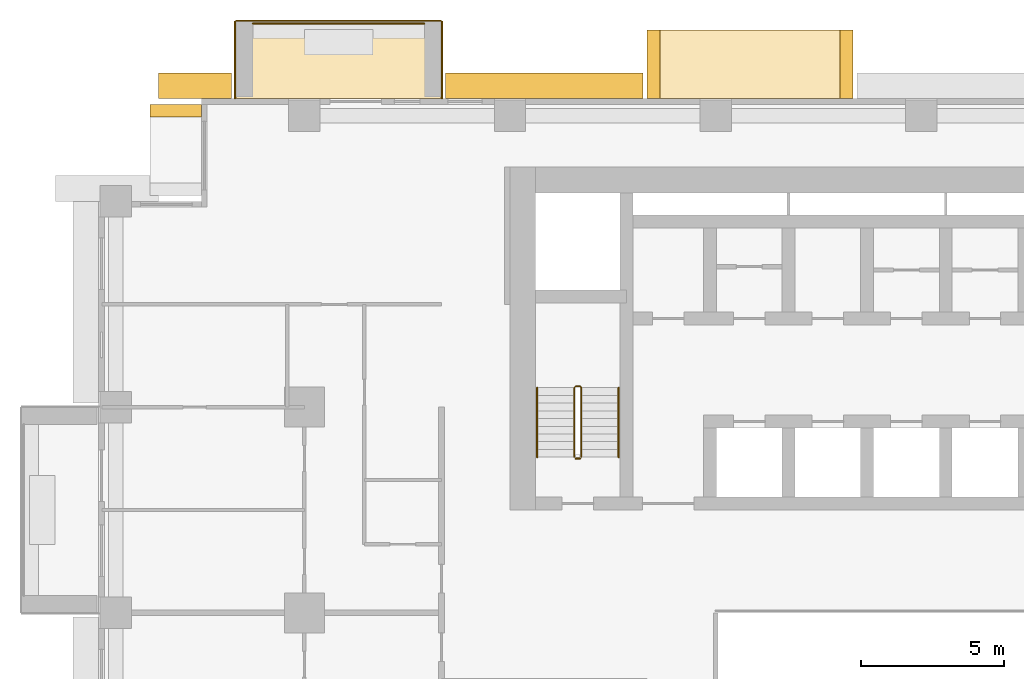
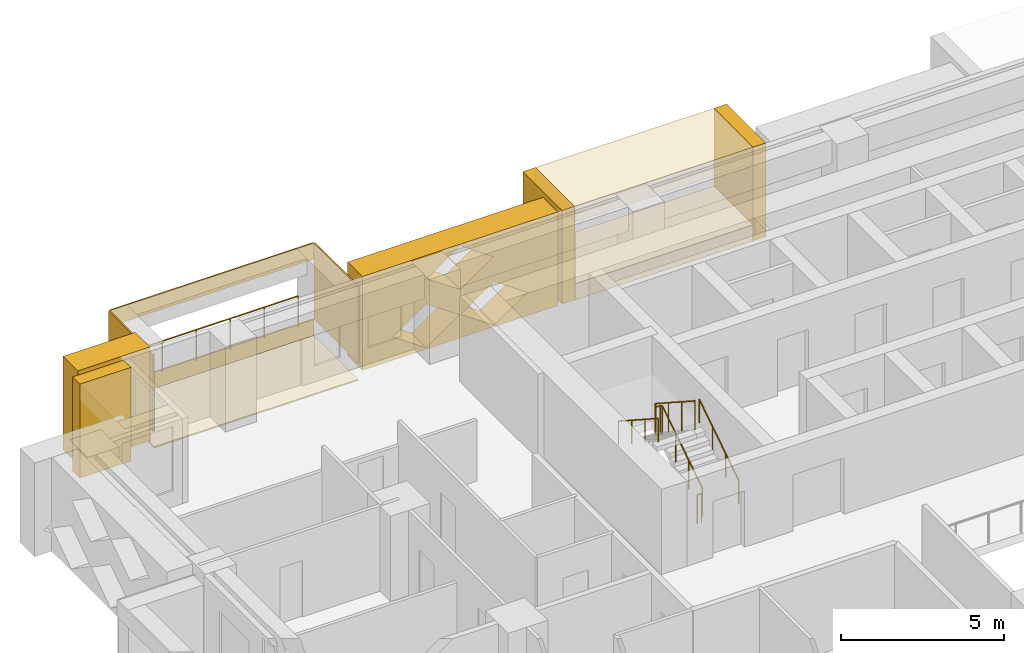
# One storey, part 15 of 17: 12 coverings, 5 railings.
"""IFC4 building model written with IfcOpenShell, lengths in metres."""

from ifc_helpers import new_model, si_unit, direction, frame, origin, origin_2d, place, context, subcontext, project, spatial, polyline, circle, outline, extrude, material, layer, layer_set, type_object, element, save


model = new_model("IFC4")

# Units and contexts
model_context = context("Model", 3, precision=1e-05, world=origin(), true_north=direction((0.0, 1.0)))
body_context = subcontext(model_context, "Body", "Model", "MODEL_VIEW")
ifc_project = project(units=[si_unit("LENGTHUNIT", "METRE"), si_unit("AREAUNIT", "SQUARE_METRE"), si_unit("VOLUMEUNIT", "CUBIC_METRE"), si_unit("PLANEANGLEUNIT", "RADIAN"), si_unit("MASSUNIT", "GRAM", prefix="KILO")], contexts=[model_context])

# Site, building, storey
site_placement = place(None, origin())
site = spatial("IfcSite", under=ifc_project, at=site_placement, CompositionType="ELEMENT")
building_placement = place(site_placement, origin())
building = spatial("IfcBuilding", under=site, at=building_placement, Name="Saffron Iwan Residences", CompositionType="ELEMENT")
storey_placement = place(building_placement, frame((0.0, 0.0, 37.5)))
storey = spatial("IfcBuildingStorey", under=building, at=storey_placement, Name="L08", CompositionType="ELEMENT", Elevation=37.5)

# Railing
ifc_material_1 = material(Name="Stainless steel 316", Category="steel")
railing_type_1 = type_object("IfcRailingType", Name="BALCONY GUARD 1150", PredefinedType="GUARDRAIL", material=ifc_material_1)
railing_1_placement = place(storey_placement, frame((25.800048828125, 83.02490234375, 0.0)))
element("IfcRailing", 1, at=railing_1_placement, inside=storey, type_object=railing_type_1, Name="Balcony guard L08 F5-3", PredefinedType="GUARDRAIL", context=body_context, shape_type="SweptSolid", body=[
    extrude(circle(Radius=0.02392578125, at=origin_2d()), frame((0.0, 0.0, 1.1259765625), z_axis=(-1.0, 0.0, 0.0), x_axis=(0.0, -1.0, 0.0)), (0.0, 0.0, 1.0), 6.0),
    extrude(circle(Radius=0.02099609375, at=origin_2d()), origin(), (0.0, 0.0, 1.0), 1.101806640625),
    extrude(circle(Radius=0.02099609375, at=origin_2d()), frame((-1.199951171875, 0.0, 0.0)), (0.0, 0.0, 1.0), 1.101806640625),
    extrude(circle(Radius=0.02099609375, at=origin_2d()), frame((-2.39990234375, 0.0, 0.0)), (0.0, 0.0, 1.0), 1.101806640625),
    extrude(circle(Radius=0.02099609375, at=origin_2d()), frame((-3.60009765625, 0.0, 0.0)), (0.0, 0.0, 1.0), 1.101806640625),
    extrude(circle(Radius=0.02099609375, at=origin_2d()), frame((-4.800048828125, 0.0, 0.0)), (0.0, 0.0, 1.0), 1.101806640625),
    extrude(circle(Radius=0.02099609375, at=origin_2d()), frame((-6.0, 0.0, 0.0)), (0.0, 0.0, 1.0), 1.101806640625),
])

# Coverings
ifc_material_2 = material(Name="Precast concrete C40/50 white painted", Category="concrete")
ifc_layer = layer(ifc_material_2, 0.050048828125)
ifc_layer_set = layer_set([ifc_layer], Name="Precast concrete C40/50 white painted")
covering_type_1 = type_object("IfcCoveringType", Name="FRAME SKIN PRECAST WHITE 50", PredefinedType="CLADDING", material=ifc_layer_set)
for number, where, name in (
    (2, (0.0, 0.0, -0.60009765625), "Frame skin slab edge L08 F5-3"),
    (3, (0.0, 0.0, 2.25), "Frame skin fascia L08 F5-3"),
):
    element("IfcCovering", number, at=place(storey_placement, frame(where)), inside=storey, type_object=covering_type_1, Name=name, PredefinedType="CLADDING", context=body_context, shape_type="SweptSolid", body=[
        extrude(outline(polyline([(26.39990234375, 83.14990234375), (19.199951171875, 83.14990234375), (19.199951171875, 83.10009765625), (26.39990234375, 83.10009765625), (26.39990234375, 83.14990234375)])), origin(), (0.0, 0.0, 1.0), 0.60009765625),
    ])
covering_1_placement = place(storey_placement, frame((0.0, 0.0, -0.64990234375)))
element("IfcCovering", 4, at=covering_1_placement, inside=storey, type_object=covering_type_1, Name="Frame skin soffit L08 F5-3", PredefinedType="CLADDING", context=body_context, shape_type="SweptSolid", body=[
    extrude(outline(polyline([(26.39990234375, 83.10009765625), (19.199951171875, 83.10009765625), (19.199951171875, 80.39990234375), (26.39990234375, 80.39990234375), (26.39990234375, 83.10009765625)])), origin(), (0.0, 0.0, 1.0), 0.0498046875),
])
covering_2_placement = place(storey_placement, origin())
element("IfcCovering", 5, at=covering_2_placement, inside=storey, type_object=covering_type_1, Name="Frame skin fin L08 F5-3a", PredefinedType="CLADDING", context=body_context, shape_type="SweptSolid", body=[
    extrude(outline(polyline([(26.449951171875, 83.10009765625), (26.39990234375, 83.10009765625), (26.39990234375, 80.39990234375), (26.449951171875, 80.39990234375), (26.449951171875, 83.10009765625)])), origin(), (0.0, 0.0, 1.0), 2.85009765625),
])
covering_3_placement = place(storey_placement, origin())
element("IfcCovering", 6, at=covering_3_placement, inside=storey, type_object=covering_type_1, Name="Frame skin fin L08 F5-3b", PredefinedType="CLADDING", context=body_context, shape_type="SweptSolid", body=[
    extrude(outline(polyline([(19.199951171875, 83.10009765625), (19.14990234375, 83.10009765625), (19.14990234375, 80.39990234375), (19.199951171875, 80.39990234375), (19.199951171875, 83.10009765625)])), origin(), (0.0, 0.0, 1.0), 2.85009765625),
])
ifc_material_3 = material(Name="Precast concrete C40/50", Category="concrete")
covering_type_2 = type_object("IfcCoveringType", Name="OUTER SKIN LATTICE SCREEN", PredefinedType="CLADDING", material=ifc_material_3)
covering_4_placement = place(storey_placement, frame((33.449951171875, 80.39990234375, -0.320068359375), z_axis=(0.0, 1.0, 0.0), x_axis=(-1.0, 0.0, 0.0)))
element("IfcCovering", 7, at=covering_4_placement, inside=storey, type_object=covering_type_2, Name="OUTER SKIN lattice screen L08 F5.3", PredefinedType="CLADDING", context=body_context, shape_type="SweptSolid", body=[
    extrude(outline(polyline([(0.0, 0.0), (6.89990234375, 0.0), (6.89990234375, 3.5), (0.0, 3.5), (0.0, 0.0)]), holes=[polyline([(1.070068359375, 0.875), (2.25, 0.06005859375), (3.429931640625, 0.875), (2.25, 1.68994140625), (1.070068359375, 0.875)]), polyline([(3.469970703125, 0.875), (4.64990234375, 0.06005859375), (5.830078125, 0.875), (4.64990234375, 1.68994140625), (3.469970703125, 0.875)]), polyline([(2.27001953125, 2.625), (3.449951171875, 1.81005859375), (4.6298828125, 2.625), (3.449951171875, 3.43994140625), (2.27001953125, 2.625)])]), origin(), (0.0, 0.0, 1.0), 0.900146484375),
])
covering_5_placement = place(storey_placement, frame((19.050048828125, 80.39990234375, -0.320068359375), z_axis=(0.0, 1.0, 0.0), x_axis=(-1.0, 0.0, 0.0)))
element("IfcCovering", 8, at=covering_5_placement, inside=storey, type_object=covering_type_2, Name="OUTER SKIN lattice screen L08 F5.4", PredefinedType="CLADDING", context=body_context, shape_type="SweptSolid", body=[
    extrude(outline(polyline([(0.0, 0.0), (2.550048828125, 0.0), (2.550048828125, 3.5), (0.0, 3.5), (0.0, 0.0)])), origin(), (0.0, 0.0, 1.0), 0.900146484375),
])

# Railings
ifc_material_4 = material(Name="Steel S355", Category="steel")
railing_type_2 = type_object("IfcRailingType", Name="Stair guard 1100", PredefinedType="GUARDRAIL", material=ifc_material_4)
railing_2_placement = place(storey_placement, frame((31.300048828125, 67.85009765625, 0.175048828125)))
element("IfcRailing", 9, at=railing_2_placement, inside=storey, type_object=railing_type_2, Name="L08 ST-W stair guard 1", PredefinedType="GUARDRAIL", context=body_context, shape_type="SweptSolid", body=[
    extrude(circle(Radius=0.02392578125, at=origin_2d()), frame((0.0, 0.0, 1.076171875), z_axis=(0.0, 0.839153699163, 0.543894354798), x_axis=(-1.0, 0.0, 0.0)), (0.0, 0.0, 1.0), 2.895751953125),
    extrude(circle(Radius=0.02392578125, at=origin_2d()), frame((0.0, 2.429931640625, 2.65087890625), z_axis=(-0.707106781187, 0.707106781187, 0.0), x_axis=(-0.707106781187, -0.707106781187, 0.0)), (0.0, 0.0, 1.0), 0.07080078125),
    extrude(circle(Radius=0.02392578125, at=origin_2d()), frame((-0.050048828125, 2.47998046875, 2.65087890625), z_axis=(-1.0, 0.0, 0.0), x_axis=(0.0, -1.0, 0.0)), (0.0, 0.0, 1.0), 0.14990234375),
    extrude(circle(Radius=0.02392578125, at=origin_2d()), frame((-0.199951171875, 2.47998046875, 2.65087890625), z_axis=(-0.265065253269, -0.265065253269, 0.927081885822), x_axis=(0.707106781187, -0.707106781187, 0.0)), (0.0, 0.0, 1.0), 0.188720703125),
    extrude(circle(Radius=0.02392578125, at=origin_2d()), frame((-0.25, 2.429931640625, 2.826171875), z_axis=(0.0, -0.839153699163, 0.543894354798), x_axis=(1.0, 0.0, 0.0)), (0.0, 0.0, 1.0), 2.895751953125),
    extrude(circle(Radius=0.02099609375, at=origin_2d()), origin(), (0.0, 0.0, 1.0), 1.052001953125),
    extrude(circle(Radius=0.02099609375, at=origin_2d()), frame((0.0, 0.81005859375, 0.52490234375)), (0.0, 0.0, 1.0), 1.052001953125),
    extrude(circle(Radius=0.02099609375, at=origin_2d()), frame((0.0, 1.619873046875, 1.050048828125)), (0.0, 0.0, 1.0), 1.052001953125),
    extrude(circle(Radius=0.02099609375, at=origin_2d()), frame((0.0, 2.429931640625, 1.574951171875)), (0.0, 0.0, 1.0), 1.052001953125),
    extrude(circle(Radius=0.02099609375, at=origin_2d()), frame((-0.050048828125, 2.47998046875, 1.574951171875)), (0.0, 0.0, 1.0), 1.052001953125),
    extrude(circle(Radius=0.02099609375, at=origin_2d()), frame((-0.199951171875, 2.47998046875, 1.574951171875)), (0.0, 0.0, 1.0), 1.052001953125),
    extrude(circle(Radius=0.02099609375, at=origin_2d()), frame((-0.25, 2.429931640625, 1.75)), (0.0, 0.0, 1.0), 1.052001953125),
    extrude(circle(Radius=0.02099609375, at=origin_2d()), frame((-0.25, 1.619873046875, 2.27490234375)), (0.0, 0.0, 1.0), 1.052001953125),
    extrude(circle(Radius=0.02099609375, at=origin_2d()), frame((-0.25, 0.81005859375, 2.800048828125)), (0.0, 0.0, 1.0), 1.052001953125),
    extrude(circle(Radius=0.02099609375, at=origin_2d()), frame((-0.25, 0.0, 3.324951171875)), (0.0, 0.0, 1.0), 1.052001953125),
])
railing_3_placement = place(storey_placement, frame((31.25, 67.800048828125, 0.0)))
element("IfcRailing", 10, at=railing_3_placement, inside=storey, type_object=railing_type_2, Name="L08 ST-W stair guard 2", PredefinedType="GUARDRAIL", context=body_context, shape_type="SweptSolid", body=[
    extrude(circle(Radius=0.02392578125, at=origin_2d()), frame((0.0, 0.0, 1.076171875), z_axis=(-1.0, 0.0, 0.0), x_axis=(0.0, -1.0, 0.0)), (0.0, 0.0, 1.0), 0.14990234375),
    extrude(circle(Radius=0.02099609375, at=origin_2d()), origin(), (0.0, 0.0, 1.0), 1.052001953125),
    extrude(circle(Radius=0.02099609375, at=origin_2d()), frame((-0.14990234375, 0.0, 0.0)), (0.0, 0.0, 1.0), 1.052001953125),
])
railing_type_3 = type_object("IfcRailingType", Name="Stair handrail 900", PredefinedType="HANDRAIL", material=ifc_material_1)
railing_4_placement = place(storey_placement, frame((32.60009765625, 67.85009765625, 0.175048828125)))
element("IfcRailing", 11, at=railing_4_placement, inside=storey, type_object=railing_type_3, Name="L08 ST-W stair handrail 1", PredefinedType="HANDRAIL", context=body_context, shape_type="SweptSolid", body=[
    extrude(circle(Radius=0.02392578125, at=origin_2d()), frame((0.0, 0.0, 0.8759765625), z_axis=(0.0, 0.839153699163, 0.543894354798), x_axis=(-1.0, 0.0, 0.0)), (0.0, 0.0, 1.0), 2.895751953125),
    extrude(circle(Radius=0.02099609375, at=origin_2d()), origin(), (0.0, 0.0, 1.0), 0.851806640625),
    extrude(circle(Radius=0.02099609375, at=origin_2d()), frame((0.0, 0.81005859375, 0.52490234375)), (0.0, 0.0, 1.0), 0.851806640625),
    extrude(circle(Radius=0.02099609375, at=origin_2d()), frame((0.0, 1.619873046875, 1.050048828125)), (0.0, 0.0, 1.0), 0.851806640625),
    extrude(circle(Radius=0.02099609375, at=origin_2d()), frame((0.0, 2.429931640625, 1.574951171875)), (0.0, 0.0, 1.0), 0.851806640625),
])
railing_5_placement = place(storey_placement, frame((29.75, 70.280029296875, 1.925048828125)))
element("IfcRailing", 12, at=railing_5_placement, inside=storey, type_object=railing_type_3, Name="L08 ST-W stair handrail 2", PredefinedType="HANDRAIL", context=body_context, shape_type="SweptSolid", body=[
    extrude(circle(Radius=0.02392578125, at=origin_2d()), frame((0.0, 0.0, 0.8759765625), z_axis=(0.0, -0.839153699163, 0.543894354798), x_axis=(1.0, 0.0, 0.0)), (0.0, 0.0, 1.0), 2.895751953125),
    extrude(circle(Radius=0.02099609375, at=origin_2d()), origin(), (0.0, 0.0, 1.0), 0.851806640625),
    extrude(circle(Radius=0.02099609375, at=origin_2d()), frame((0.0, -0.81005859375, 0.52490234375)), (0.0, 0.0, 1.0), 0.851806640625),
    extrude(circle(Radius=0.02099609375, at=origin_2d()), frame((0.0, -1.619873046875, 1.050048828125)), (0.0, 0.0, 1.0), 0.851806640625),
    extrude(circle(Radius=0.02099609375, at=origin_2d()), frame((0.0, -2.429931640625, 1.574951171875)), (0.0, 0.0, 1.0), 0.851806640625),
])

# Coverings
covering_type_3 = type_object("IfcCoveringType", Name="WHITE SUN FRAME PRECAST", PredefinedType="CLADDING", material=ifc_material_2)
for number, where, z_axis, x_axis, name in (
    (13, (40.800048828125, 80.39990234375, -0.320068359375), (0.0, 1.0, 0.0), (-1.0, 0.0, 0.0), "Sun frame L08 F5 42.0a"),
    (14, (34.050048828125, 80.39990234375, -0.320068359375), (0.0, 1.0, 0.0), (-1.0, 0.0, 0.0), "Sun frame L08 F5 42.0b"),
):
    element("IfcCovering", number, at=place(storey_placement, frame(where, z_axis=z_axis, x_axis=x_axis)), inside=storey, type_object=covering_type_3, Name=name, PredefinedType="CLADDING", context=body_context, shape_type="SweptSolid", body=[
        extrude(outline(polyline([(0.0, 0.0), (0.449951171875, 0.0), (0.449951171875, 3.5), (0.0, 3.5), (0.0, 0.0)])), origin(), (0.0, 0.0, 1.0), 2.400146484375),
    ])
for number, where, z_axis, x_axis, name in (
    (15, (40.35009765625, 80.39990234375, 2.580078125), (0.0, 1.0, 0.0), (-1.0, 0.0, 0.0), "Sun frame L08 F5 42.0h"),
    (16, (40.35009765625, 80.39990234375, -0.320068359375), (0.0, 1.0, 0.0), (-1.0, 0.0, 0.0), "Sun frame L08 F5 42.0s"),
):
    element("IfcCovering", number, at=place(storey_placement, frame(where, z_axis=z_axis, x_axis=x_axis)), inside=storey, type_object=covering_type_3, Name=name, PredefinedType="CLADDING", context=body_context, shape_type="SweptSolid", body=[
        extrude(outline(polyline([(0.0, 0.0), (6.300048828125, 0.0), (6.300048828125, 0.60009765625), (0.0, 0.60009765625), (0.0, 0.0)])), origin(), (0.0, 0.0, 1.0), 2.400146484375),
    ])
covering_6_placement = place(storey_placement, frame((18.0, 80.199951171875, -0.320068359375), z_axis=(-1.0, 0.0, 0.0), x_axis=(0.0, -1.0, 0.0)))
element("IfcCovering", 17, at=covering_6_placement, inside=storey, type_object=covering_type_3, Name="Sun frame L08 F6 0.2a", PredefinedType="CLADDING", context=body_context, shape_type="SweptSolid", body=[
    extrude(outline(polyline([(0.0, 0.0), (0.449951171875, 0.0), (0.449951171875, 3.5), (0.0, 3.5), (0.0, 0.0)])), origin(), (0.0, 0.0, 1.0), 1.800048828125),
])

save(model, "model.ifc")
